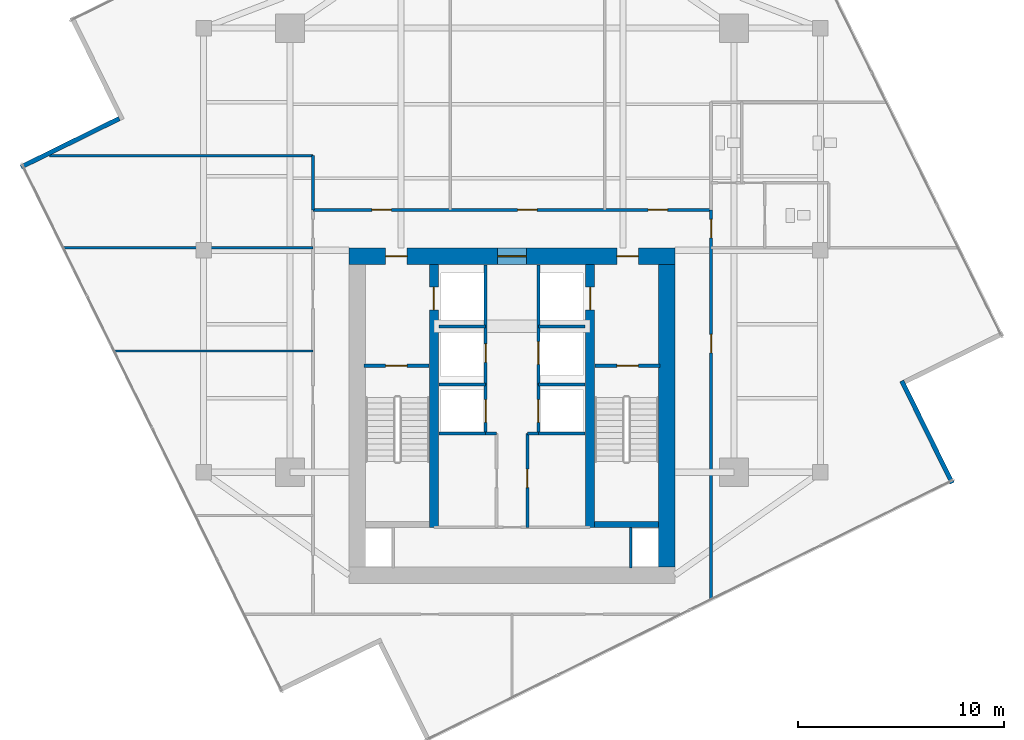
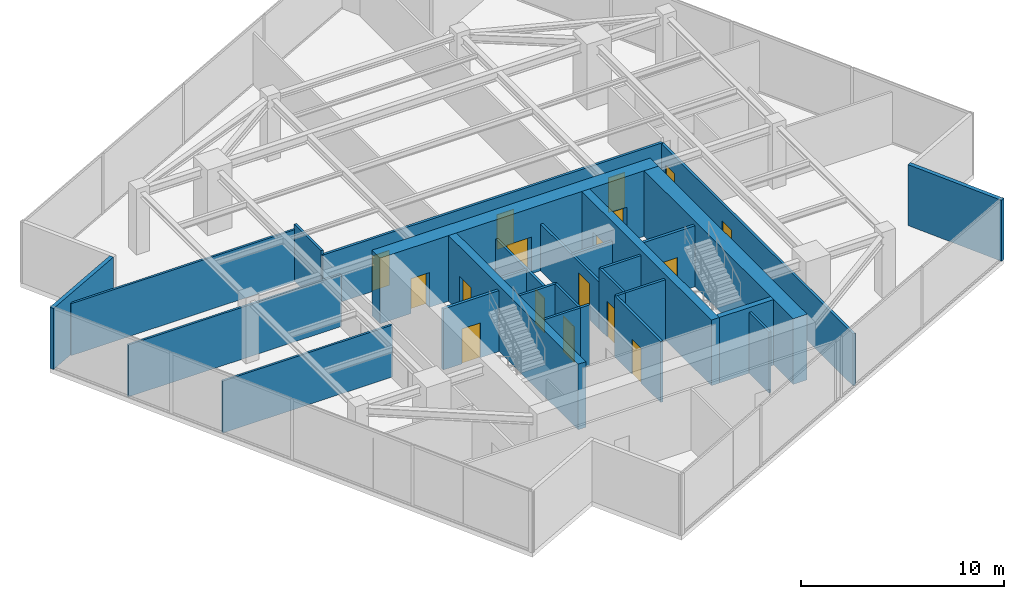
# One storey, part 19 of 22: 29 walls, 17 doors, 17 openings.
"""IFC4 building model written with IfcOpenShell, lengths in metres."""

from ifc_helpers import new_model, si_unit, direction, frame, frame_2d, origin, place, context, subcontext, project, spatial, rectangle, extrude, material, layer, layer_set, type_object, element, fill, save


model = new_model("IFC4")

# Units and contexts
model_context = context("Model", 3, precision=1e-05, world=origin(), true_north=direction((0.0, 1.0)))
body_context = subcontext(model_context, "Body", "Model", "MODEL_VIEW")
ifc_project = project(units=[si_unit("LENGTHUNIT", "METRE"), si_unit("AREAUNIT", "SQUARE_METRE"), si_unit("VOLUMEUNIT", "CUBIC_METRE"), si_unit("PLANEANGLEUNIT", "RADIAN"), si_unit("MASSUNIT", "GRAM", prefix="KILO")], contexts=[model_context])

# Site, building, storey
site_placement = place(None, origin())
site = spatial("IfcSite", under=ifc_project, at=site_placement, CompositionType="ELEMENT")
building_placement = place(site_placement, origin())
building = spatial("IfcBuilding", under=site, at=building_placement, Name="Krantzveldt Concourse Tower", CompositionType="ELEMENT")
storey_placement = place(building_placement, frame((0.0, 0.0, 310.85009765625)))
storey = spatial("IfcBuildingStorey", under=building, at=storey_placement, Name="L76", CompositionType="ELEMENT", Elevation=310.85009765625)

# Walls
ifc_material_1 = material(Name="Anodised aluminium 6063-T6", Category="aluminium")
ifc_layer_1 = layer(ifc_material_1, 0.219970703125, Name="Anodised aluminium 6063-T6", Category="aluminium")
ifc_layer_set_1 = layer_set([ifc_layer_1], Name="Anodised aluminium 6063-T6 (WL-EXT-NOTCH220)")
wall_type_1 = type_object("IfcWallType", Name="WL-EXT-NOTCH220", PredefinedType="ELEMENTEDWALL", material=ifc_layer_set_1)
wall_1_placement = place(storey_placement, frame((16.898681640625, 33.101806640625, 0.0), z_axis=(0.0, 0.0, 1.0), x_axis=(-0.896889306105, -0.442255099003, 0.0)))
element("IfcWall", 1, at=wall_1_placement, inside=storey, type_object=wall_type_1, Name="EW-L76-NCH03", PredefinedType="ELEMENTEDWALL", context=body_context, shape_type="SweptSolid", body=[
    extrude(rectangle(XDim=5.324951171875, YDim=0.219970703125, at=frame_2d((2.66259765625, 0.0))), origin(), (0.0, 0.0, 1.0), 3.669921875),
])
wall_2_placement = place(storey_placement, frame((57.406494140625, 15.375, 0.0), z_axis=(0.0, 0.0, 1.0), x_axis=(-0.442275503639, 0.896879244314, 0.0)))
element("IfcWall", 2, at=wall_2_placement, inside=storey, type_object=wall_type_1, Name="EW-L76-NCH08", PredefinedType="ELEMENTEDWALL", context=body_context, shape_type="SweptSolid", body=[
    extrude(rectangle(XDim=5.544921875, YDim=0.219970703125, at=frame_2d((2.7724609375, 0.0))), origin(), (0.0, 0.0, 1.0), 3.669921875),
])
ifc_material_2 = material(Name="Fire-rated gypsum plasterboard on steel stud", Category="steel")
ifc_layer_2 = layer(ifc_material_2, 0.1201171875, Name="Fire-rated gypsum plasterboard on steel stud", Category="steel")
ifc_layer_set_2 = layer_set([ifc_layer_2], Name="Fire-rated gypsum plasterboard on steel stud (WL-PART-120)")
wall_type_2 = type_object("IfcWallType", Name="WL-PART-120", PredefinedType="PARTITIONING", material=ifc_layer_set_2)
wall_3_placement = place(storey_placement, frame((14.1875, 26.820068359375, 0.0), z_axis=(0.0, 0.0, 1.0), x_axis=(1.0, 0.0, 0.0)))
element("IfcWall", 3, at=wall_3_placement, inside=storey, type_object=wall_type_2, Name="WP-L76-PNTS", PredefinedType="PARTITIONING", context=body_context, shape_type="SweptSolid", body=[
    extrude(rectangle(XDim=12.132568359375, YDim=0.1201171875, at=frame_2d((6.06640625, 0.0))), origin(), (0.0, 0.0, 1.0), 3.1298828125),
])
wall_4_placement = place(storey_placement, frame((13.5048828125, 31.300048828125, 0.0), z_axis=(0.0, 0.0, 1.0), x_axis=(1.0, 0.0, 0.0)))
element("IfcWall", 4, at=wall_4_placement, inside=storey, type_object=wall_type_2, Name="WP-L76-PNTN", PredefinedType="PARTITIONING", context=body_context, shape_type="SweptSolid", body=[
    extrude(rectangle(XDim=12.815185546875, YDim=0.1201171875, at=frame_2d((6.40771484375, 0.0))), origin(), (0.0, 0.0, 1.0), 3.1298828125),
])
wall_5_placement = place(storey_placement, frame((16.6630859375, 21.800048828125, 0.0), z_axis=(0.0, 0.0, 1.0), x_axis=(1.0, 0.0, 0.0)))
element("IfcWall", 5, at=wall_5_placement, inside=storey, type_object=wall_type_2, Name="WP-L76-WD2", PredefinedType="PARTITIONING", context=body_context, shape_type="SweptSolid", body=[
    extrude(rectangle(XDim=9.656982421875, YDim=0.1201171875, at=frame_2d((4.82861328125, 0.0))), origin(), (0.0, 0.0, 1.0), 3.1298828125),
])

# Wall, openings, doors
ifc_layer_3 = layer(ifc_material_2, 0.139892578125, Name="Fire-rated gypsum plasterboard on steel stud", Category="steel")
ifc_layer_set_3 = layer_set([ifc_layer_3], Name="Fire-rated gypsum plasterboard on steel stud (WL-PART-140)")
wall_type_3 = type_object("IfcWallType", Name="WL-PART-140", PredefinedType="PARTITIONING", material=ifc_layer_set_3)
wall_6_placement = place(storey_placement, frame((26.320068359375, 28.659912109375, 0.0), z_axis=(0.0, 0.0, 1.0), x_axis=(1.0, 0.0, 0.0)))
wall_6 = element("IfcWall", 6, at=wall_6_placement, inside=storey, type_object=wall_type_3, Name="WP-L76-CNHDR", PredefinedType="PARTITIONING", context=body_context, shape_type="SweptSolid", body=[
    extrude(rectangle(XDim=19.35986328125, YDim=0.139892578125, at=frame_2d((9.679931640625, 0.0))), origin(), (0.0, 0.0, 1.0), 3.179931640625),
])
opening_1_placement = place(wall_6_placement, frame((2.864990234375, 0.0, 0.0)))
opening_1 = element("IfcOpeningElement", 7, at=opening_1_placement, cuts=wall_6, Name="Opening D-IN095", PredefinedType="OPENING", context=body_context, shape_type="SweptSolid", body=[
    extrude(rectangle(XDim=0.949951171875, YDim=2.10009765625, at=frame_2d((0.47509765625, 1.050048828125))), frame((0.0, 0.080078125, 0.0), z_axis=(0.0, -1.0, 0.0), x_axis=(1.0, 0.0, 0.0)), (0.0, 0.0, 1.0), 0.159912109375),
])
opening_2_placement = place(wall_6_placement, frame((9.955078125, 0.0, 0.0)))
opening_2 = element("IfcOpeningElement", 8, at=opening_2_placement, cuts=wall_6, Name="Opening D-IN095", PredefinedType="OPENING", context=body_context, shape_type="SweptSolid", body=[
    extrude(rectangle(XDim=0.949951171875, YDim=2.10009765625, at=frame_2d((0.47509765625, 1.050048828125))), frame((0.0, 0.080078125, 0.0), z_axis=(0.0, -1.0, 0.0), x_axis=(1.0, 0.0, 0.0)), (0.0, 0.0, 1.0), 0.159912109375),
])
opening_3_placement = place(wall_6_placement, frame((16.294921875, 0.0, 0.0)))
opening_3 = element("IfcOpeningElement", 9, at=opening_3_placement, cuts=wall_6, Name="Opening D-IN095", PredefinedType="OPENING", context=body_context, shape_type="SweptSolid", body=[
    extrude(rectangle(XDim=0.949951171875, YDim=2.10009765625, at=frame_2d((0.47509765625, 1.050048828125))), frame((0.0, 0.080078125, 0.0), z_axis=(0.0, -1.0, 0.0), x_axis=(1.0, 0.0, 0.0)), (0.0, 0.0, 1.0), 0.159912109375),
])
ifc_material_3 = material(Name="Hardwood timber", Category="wood")
door_type_1 = type_object("IfcDoorType", Name="DR-INT-950", OperationType="SINGLE_SWING_LEFT", PredefinedType="DOOR", material=ifc_material_3)
door_1_placement = place(opening_1_placement, origin())
door_1 = element("IfcDoor", 10, at=door_1_placement, inside=storey, type_object=door_type_1, Name="DR-L76-NR1", OperationType="SINGLE_SWING_LEFT", OverallHeight=2.10009765625, OverallWidth=0.949951171875, PredefinedType="DOOR", context=body_context, shape_type="SweptSolid", body=[
    extrude(rectangle(XDim=0.949951171875, YDim=2.10009765625, at=frame_2d((0.47509765625, 1.050048828125))), frame((0.0, 0.02490234375, 0.0), z_axis=(0.0, -1.0, 0.0), x_axis=(1.0, 0.0, 0.0)), (0.0, 0.0, 1.0), 0.050048828125),
])
fill(opening_1, door_1)
door_2_placement = place(opening_2_placement, origin())
door_2 = element("IfcDoor", 11, at=door_2_placement, inside=storey, type_object=door_type_1, Name="DR-L76-NR2", OperationType="SINGLE_SWING_LEFT", OverallHeight=2.10009765625, OverallWidth=0.949951171875, PredefinedType="DOOR", context=body_context, shape_type="SweptSolid", body=[
    extrude(rectangle(XDim=0.949951171875, YDim=2.10009765625, at=frame_2d((0.47509765625, 1.050048828125))), frame((0.0, 0.02490234375, 0.0), z_axis=(0.0, -1.0, 0.0), x_axis=(1.0, 0.0, 0.0)), (0.0, 0.0, 1.0), 0.050048828125),
])
fill(opening_2, door_2)
door_3_placement = place(opening_3_placement, origin())
door_3 = element("IfcDoor", 12, at=door_3_placement, inside=storey, type_object=door_type_1, Name="DR-L76-NR3", OperationType="SINGLE_SWING_LEFT", OverallHeight=2.10009765625, OverallWidth=0.949951171875, PredefinedType="DOOR", context=body_context, shape_type="SweptSolid", body=[
    extrude(rectangle(XDim=0.949951171875, YDim=2.10009765625, at=frame_2d((0.47509765625, 1.050048828125))), frame((0.0, 0.02490234375, 0.0), z_axis=(0.0, -1.0, 0.0), x_axis=(1.0, 0.0, 0.0)), (0.0, 0.0, 1.0), 0.050048828125),
])
fill(opening_3, door_3)

wall_7_placement = place(storey_placement, frame((45.679931640625, 9.72021484375, 0.0), z_axis=(0.0, 0.0, 1.0), x_axis=(0.0, 1.0, 0.0)))
wall_7 = element("IfcWall", 13, at=wall_7_placement, inside=storey, type_object=wall_type_3, Name="WP-L76-CEAST", PredefinedType="PARTITIONING", context=body_context, shape_type="SweptSolid", body=[
    extrude(rectangle(XDim=18.939697265625, YDim=0.139892578125, at=frame_2d((9.4697265625, 0.0))), origin(), (0.0, 0.0, 1.0), 3.1298828125),
])
opening_4_placement = place(wall_7_placement, frame((17.57958984375, 0.0, 0.0)))
opening_4 = element("IfcOpeningElement", 14, at=opening_4_placement, cuts=wall_7, Name="Opening D-IN090", PredefinedType="OPENING", context=body_context, shape_type="SweptSolid", body=[
    extrude(rectangle(XDim=0.89990234375, YDim=2.10009765625, at=frame_2d((0.449951171875, 1.050048828125))), frame((0.0, 0.080078125, 0.0), z_axis=(0.0, -1.0, 0.0), x_axis=(1.0, 0.0, 0.0)), (0.0, 0.0, 1.0), 0.159912109375),
])
opening_5_placement = place(wall_7_placement, frame((11.98974609375, 0.0, 0.0)))
opening_5 = element("IfcOpeningElement", 15, at=opening_5_placement, cuts=wall_7, Name="Opening D-IN090", PredefinedType="OPENING", context=body_context, shape_type="SweptSolid", body=[
    extrude(rectangle(XDim=0.89990234375, YDim=2.10009765625, at=frame_2d((0.449951171875, 1.050048828125))), frame((0.0, 0.080078125, 0.0), z_axis=(0.0, -1.0, 0.0), x_axis=(1.0, 0.0, 0.0)), (0.0, 0.0, 1.0), 0.159912109375),
])
door_type_2 = type_object("IfcDoorType", Name="DR-INT-900", OperationType="SINGLE_SWING_LEFT", PredefinedType="DOOR", material=ifc_material_3)
door_4_placement = place(opening_4_placement, origin())
door_4 = element("IfcDoor", 16, at=door_4_placement, inside=storey, type_object=door_type_2, Name="DR-L76-WCV", OperationType="SINGLE_SWING_RIGHT", OverallHeight=2.10009765625, OverallWidth=0.89990234375, PredefinedType="DOOR", context=body_context, shape_type="SweptSolid", body=[
    extrude(rectangle(XDim=0.89990234375, YDim=2.10009765625, at=frame_2d((0.449951171875, 1.050048828125))), frame((0.0, 0.02490234375, 0.0), z_axis=(0.0, -1.0, 0.0), x_axis=(1.0, 0.0, 0.0)), (0.0, 0.0, 1.0), 0.050048828125),
])
fill(opening_4, door_4)
door_5_placement = place(opening_5_placement, origin())
door_5 = element("IfcDoor", 17, at=door_5_placement, inside=storey, type_object=door_type_2, Name="DR-L76-ER1", OperationType="SINGLE_SWING_LEFT", OverallHeight=2.10009765625, OverallWidth=0.89990234375, PredefinedType="DOOR", context=body_context, shape_type="SweptSolid", body=[
    extrude(rectangle(XDim=0.89990234375, YDim=2.10009765625, at=frame_2d((0.449951171875, 1.050048828125))), frame((0.0, 0.02490234375, 0.0), z_axis=(0.0, -1.0, 0.0), x_axis=(1.0, 0.0, 0.0)), (0.0, 0.0, 1.0), 0.050048828125),
])
fill(opening_5, door_5)

# Wall
wall_8_placement = place(storey_placement, frame((26.320068359375, 28.659912109375, 0.0), z_axis=(0.0, 0.0, 1.0), x_axis=(0.0, 1.0, 0.0)))
element("IfcWall", 18, at=wall_8_placement, inside=storey, type_object=wall_type_3, Name="WP-L76-NWL", PredefinedType="PARTITIONING", context=body_context, shape_type="SweptSolid", body=[
    extrude(rectangle(XDim=2.64013671875, YDim=0.139892578125, at=frame_2d((1.320068359375, 0.0))), origin(), (0.0, 0.0, 1.0), 3.429931640625),
])

# Wall, opening, door
ifc_layer_4 = layer(ifc_material_2, 0.139892578125, Name="Fire-rated gypsum plasterboard on steel stud", Category="steel")
ifc_layer_set_4 = layer_set([ifc_layer_4], Name="Fire-rated gypsum plasterboard on steel stud (WL-PART-FR140)")
wall_type_4 = type_object("IfcWallType", Name="WL-PART-FR140", PredefinedType="PARTITIONING", material=ifc_layer_set_4)
wall_9_placement = place(storey_placement, frame((34.719970703125, 20.199951171875, 0.0), z_axis=(0.0, 0.0, 1.0), x_axis=(0.0, 1.0, 0.0)))
wall_9 = element("IfcWall", 19, at=wall_9_placement, inside=storey, type_object=wall_type_4, Name="WP-L76-SHNW", PredefinedType="PARTITIONING", context=body_context, shape_type="SweptSolid", body=[
    extrude(rectangle(XDim=5.780029296875, YDim=0.139892578125, at=frame_2d((2.89013671875, 0.0))), origin(), (0.0, 0.0, 1.0), 2.81982421875),
])
opening_6_placement = place(wall_9_placement, frame((1.050048828125, 0.0, 0.0)))
opening_6 = element("IfcOpeningElement", 20, at=opening_6_placement, cuts=wall_9, Name="Opening D-FD090", PredefinedType="OPENING", context=body_context, shape_type="SweptSolid", body=[
    extrude(rectangle(XDim=0.89990234375, YDim=2.10009765625, at=frame_2d((0.449951171875, 1.050048828125))), frame((0.0, 0.080078125, 0.0), z_axis=(0.0, -1.0, 0.0), x_axis=(1.0, 0.0, 0.0)), (0.0, 0.0, 1.0), 0.159912109375),
])
door_type_3 = type_object("IfcDoorType", Name="DR-FD60-900", OperationType="SINGLE_SWING_LEFT", PredefinedType="DOOR", material=ifc_material_3)
door_6_placement = place(opening_6_placement, origin())
door_6 = element("IfcDoor", 21, at=door_6_placement, inside=storey, type_object=door_type_3, Name="Electrical Riser Access Door L76", OperationType="SINGLE_SWING_LEFT", OverallHeight=2.10009765625, OverallWidth=0.89990234375, PredefinedType="DOOR", context=body_context, shape_type="SweptSolid", body=[
    extrude(rectangle(XDim=0.89990234375, YDim=2.10009765625, at=frame_2d((0.449951171875, 1.050048828125))), frame((0.0, 0.02490234375, 0.0), z_axis=(0.0, -1.0, 0.0), x_axis=(1.0, 0.0, 0.0)), (0.0, 0.0, 1.0), 0.050048828125),
])
fill(opening_6, door_6)

wall_10_placement = place(storey_placement, frame((37.280029296875, 20.199951171875, 0.0), z_axis=(0.0, 0.0, 1.0), x_axis=(0.0, 1.0, 0.0)))
wall_10 = element("IfcWall", 22, at=wall_10_placement, inside=storey, type_object=wall_type_4, Name="WP-L76-SHNE", PredefinedType="PARTITIONING", context=body_context, shape_type="SweptSolid", body=[
    extrude(rectangle(XDim=5.780029296875, YDim=0.139892578125, at=frame_2d((2.89013671875, 0.0))), origin(), (0.0, 0.0, 1.0), 2.81982421875),
])
opening_7_placement = place(wall_10_placement, frame((0.949951171875, 0.0, 0.0)))
opening_7 = element("IfcOpeningElement", 23, at=opening_7_placement, cuts=wall_10, Name="Opening LD", PredefinedType="OPENING", context=body_context, shape_type="SweptSolid", body=[
    extrude(rectangle(XDim=1.10009765625, YDim=2.14990234375, at=frame_2d((0.550048828125, 1.074951171875))), frame((0.0, 0.080078125, 0.0), z_axis=(0.0, -1.0, 0.0), x_axis=(1.0, 0.0, 0.0)), (0.0, 0.0, 1.0), 0.159912109375),
])
ifc_material_4 = material(Name="Stainless steel 316L", Category="steel")
door_type_4 = type_object("IfcDoorType", Name="DR-SLIDE-LD1100", OperationType="DOUBLE_DOOR_SLIDING", PredefinedType="DOOR", material=ifc_material_4)
door_7_placement = place(opening_7_placement, origin())
door_7 = element("IfcDoor", 24, at=door_7_placement, inside=storey, type_object=door_type_4, Name="LD-L76-GL1", OperationType="DOUBLE_DOOR_SLIDING", OverallHeight=2.14990234375, OverallWidth=1.10009765625, PredefinedType="DOOR", context=body_context, shape_type="SweptSolid", body=[
    extrude(rectangle(XDim=1.10009765625, YDim=2.14990234375, at=frame_2d((0.550048828125, 1.074951171875))), frame((0.0, 0.02490234375, 0.0), z_axis=(0.0, -1.0, 0.0), x_axis=(1.0, 0.0, 0.0)), (0.0, 0.0, 1.0), 0.050048828125),
])
fill(opening_7, door_7)

# Walls
for number, where, z_axis, x_axis, name in (
    (25, (32.449951171875, 23.0, 0.0), (0.0, 0.0, 1.0), (1.0, 0.0, 0.0), "WP-L76-RISH"),
    (26, (37.280029296875, 23.0, 0.0), (0.0, 0.0, 1.0), (1.0, 0.0, 0.0), "WP-L76-GLH"),
):
    element("IfcWall", number, at=place(storey_placement, frame(where, z_axis=z_axis, x_axis=x_axis)), inside=storey, type_object=wall_type_4, Name=name, PredefinedType="PARTITIONING", context=body_context, shape_type="SweptSolid", body=[
        extrude(rectangle(XDim=2.27001953125, YDim=0.139892578125, at=frame_2d((1.135009765625, 0.0))), origin(), (0.0, 0.0, 1.0), 2.81982421875),
    ])

# Wall, opening, door
wall_11_placement = place(storey_placement, frame((34.719970703125, 17.780029296875, 0.0), z_axis=(0.0, 0.0, 1.0), x_axis=(0.0, 1.0, 0.0)))
wall_11 = element("IfcWall", 27, at=wall_11_placement, inside=storey, type_object=wall_type_4, Name="WP-L76-SHNW2", PredefinedType="PARTITIONING", context=body_context, shape_type="SweptSolid", body=[
    extrude(rectangle(XDim=2.419921875, YDim=0.139892578125, at=frame_2d((1.2099609375, 0.0))), origin(), (0.0, 0.0, 1.0), 3.669921875),
])
opening_8_placement = place(wall_11_placement, frame((0.550048828125, 0.0, 0.0)))
opening_8 = element("IfcOpeningElement", 28, at=opening_8_placement, cuts=wall_11, Name="Opening LD", PredefinedType="OPENING", context=body_context, shape_type="SweptSolid", body=[
    extrude(rectangle(XDim=1.10009765625, YDim=2.14990234375, at=frame_2d((0.550048828125, 1.074951171875))), frame((0.0, 0.080078125, 0.0), z_axis=(0.0, -1.0, 0.0), x_axis=(1.0, 0.0, 0.0)), (0.0, 0.0, 1.0), 0.159912109375),
])
door_8_placement = place(opening_8_placement, origin())
door_8 = element("IfcDoor", 29, at=door_8_placement, inside=storey, type_object=door_type_4, Name="LD-L76-PH1", OperationType="DOUBLE_DOOR_SLIDING", OverallHeight=2.14990234375, OverallWidth=1.10009765625, PredefinedType="DOOR", context=body_context, shape_type="SweptSolid", body=[
    extrude(rectangle(XDim=1.10009765625, YDim=2.14990234375, at=frame_2d((0.550048828125, 1.074951171875))), frame((0.0, 0.02490234375, 0.0), z_axis=(0.0, -1.0, 0.0), x_axis=(1.0, 0.0, 0.0)), (0.0, 0.0, 1.0), 0.050048828125),
])
fill(opening_8, door_8)

wall_12_placement = place(storey_placement, frame((37.280029296875, 17.780029296875, 0.0), z_axis=(0.0, 0.0, 1.0), x_axis=(0.0, 1.0, 0.0)))
wall_12 = element("IfcWall", 30, at=wall_12_placement, inside=storey, type_object=wall_type_4, Name="WP-L76-SHNE2", PredefinedType="PARTITIONING", context=body_context, shape_type="SweptSolid", body=[
    extrude(rectangle(XDim=2.419921875, YDim=0.139892578125, at=frame_2d((1.2099609375, 0.0))), origin(), (0.0, 0.0, 1.0), 3.669921875),
])
opening_9_placement = place(wall_12_placement, frame((0.550048828125, 0.0, 0.0)))
opening_9 = element("IfcOpeningElement", 31, at=opening_9_placement, cuts=wall_12, Name="Opening LD", PredefinedType="OPENING", context=body_context, shape_type="SweptSolid", body=[
    extrude(rectangle(XDim=1.10009765625, YDim=2.14990234375, at=frame_2d((0.550048828125, 1.074951171875))), frame((0.0, 0.080078125, 0.0), z_axis=(0.0, -1.0, 0.0), x_axis=(1.0, 0.0, 0.0)), (0.0, 0.0, 1.0), 0.159912109375),
])
door_9_placement = place(opening_9_placement, origin())
door_9 = element("IfcDoor", 32, at=door_9_placement, inside=storey, type_object=door_type_4, Name="LD-L76-PH2", OperationType="DOUBLE_DOOR_SLIDING", OverallHeight=2.14990234375, OverallWidth=1.10009765625, PredefinedType="DOOR", context=body_context, shape_type="SweptSolid", body=[
    extrude(rectangle(XDim=1.10009765625, YDim=2.14990234375, at=frame_2d((0.550048828125, 1.074951171875))), frame((0.0, 0.02490234375, 0.0), z_axis=(0.0, -1.0, 0.0), x_axis=(1.0, 0.0, 0.0)), (0.0, 0.0, 1.0), 0.050048828125),
])
fill(opening_9, door_9)

# Walls
for number, where, z_axis, x_axis, name in (
    (33, (32.449951171875, 17.780029296875, 0.0), (0.0, 0.0, 1.0), (1.0, 0.0, 0.0), "WP-L76-DIVW2"),
    (34, (32.449951171875, 20.179931640625, 0.0), (0.0, 0.0, 1.0), (1.0, 0.0, 0.0), "WP-L76-DIVW3"),
    (35, (37.280029296875, 17.780029296875, 0.0), (0.0, 0.0, 1.0), (1.0, 0.0, 0.0), "WP-L76-DIVE2"),
    (36, (37.280029296875, 20.179931640625, 0.0), (0.0, 0.0, 1.0), (1.0, 0.0, 0.0), "WP-L76-DIVE3"),
):
    element("IfcWall", number, at=place(storey_placement, frame(where, z_axis=z_axis, x_axis=x_axis)), inside=storey, type_object=wall_type_4, Name=name, PredefinedType="PARTITIONING", context=body_context, shape_type="SweptSolid", body=[
        extrude(rectangle(XDim=2.27001953125, YDim=0.139892578125, at=frame_2d((1.135009765625, 0.0))), origin(), (0.0, 0.0, 1.0), 3.669921875),
    ])
wall_13_placement = place(storey_placement, frame((34.719970703125, 17.780029296875, 0.0), z_axis=(0.0, 0.0, 1.0), x_axis=(1.0, 0.0, 0.0)))
element("IfcWall", 37, at=wall_13_placement, inside=storey, type_object=wall_type_4, Name="WP-L76-RECWN", PredefinedType="PARTITIONING", context=body_context, shape_type="SweptSolid", body=[
    extrude(rectangle(XDim=0.530029296875, YDim=0.139892578125, at=frame_2d((0.26513671875, 0.0))), origin(), (0.0, 0.0, 1.0), 3.669921875),
])

# Wall, opening, door
wall_14_placement = place(storey_placement, frame((36.75, 13.219970703125, 0.0), z_axis=(0.0, 0.0, 1.0), x_axis=(0.0, 1.0, 0.0)))
wall_14 = element("IfcWall", 38, at=wall_14_placement, inside=storey, type_object=wall_type_4, Name="WP-L76-RECE", PredefinedType="PARTITIONING", context=body_context, shape_type="SweptSolid", body=[
    extrude(rectangle(XDim=4.56005859375, YDim=0.139892578125, at=frame_2d((2.280029296875, 0.0))), origin(), (0.0, 0.0, 1.0), 3.669921875),
])
opening_10_placement = place(wall_14_placement, frame((1.929931640625, 0.0, 0.0)))
opening_10 = element("IfcOpeningElement", 39, at=opening_10_placement, cuts=wall_14, Name="Opening D-FD090", PredefinedType="OPENING", context=body_context, shape_type="SweptSolid", body=[
    extrude(rectangle(XDim=0.89990234375, YDim=2.10009765625, at=frame_2d((0.449951171875, 1.050048828125))), frame((0.0, 0.080078125, 0.0), z_axis=(0.0, -1.0, 0.0), x_axis=(1.0, 0.0, 0.0)), (0.0, 0.0, 1.0), 0.159912109375),
])
door_10_placement = place(opening_10_placement, origin())
door_10 = element("IfcDoor", 40, at=door_10_placement, inside=storey, type_object=door_type_3, Name="DR-L76-RECE", OperationType="SINGLE_SWING_RIGHT", OverallHeight=2.10009765625, OverallWidth=0.89990234375, PredefinedType="DOOR", context=body_context, shape_type="SweptSolid", body=[
    extrude(rectangle(XDim=0.89990234375, YDim=2.10009765625, at=frame_2d((0.449951171875, 1.050048828125))), frame((0.0, 0.02490234375, 0.0), z_axis=(0.0, -1.0, 0.0), x_axis=(1.0, 0.0, 0.0)), (0.0, 0.0, 1.0), 0.050048828125),
])
fill(opening_10, door_10)

# Walls
wall_15_placement = place(storey_placement, frame((36.75, 17.780029296875, 0.0), z_axis=(0.0, 0.0, 1.0), x_axis=(1.0, 0.0, 0.0)))
element("IfcWall", 41, at=wall_15_placement, inside=storey, type_object=wall_type_4, Name="WP-L76-RECEN", PredefinedType="PARTITIONING", context=body_context, shape_type="SweptSolid", body=[
    extrude(rectangle(XDim=0.530029296875, YDim=0.139892578125, at=frame_2d((0.26513671875, 0.0))), origin(), (0.0, 0.0, 1.0), 3.669921875),
])
wall_16_placement = place(storey_placement, frame((41.780029296875, 11.25, 0.0), z_axis=(0.0, 0.0, 1.0), x_axis=(0.0, 1.0, 0.0)))
element("IfcWall", 42, at=wall_16_placement, inside=storey, type_object=wall_type_4, Name="WP-L76-RSE", PredefinedType="PARTITIONING", context=body_context, shape_type="SweptSolid", body=[
    extrude(rectangle(XDim=1.969970703125, YDim=0.1201171875, at=frame_2d((0.98486328125, 0.0))), origin(), (0.0, 0.0, 1.0), 3.669921875),
])

# Wall, opening, door
ifc_layer_5 = layer(ifc_material_2, 0.159912109375, Name="Fire-rated gypsum plasterboard on steel stud", Category="steel")
ifc_layer_set_5 = layer_set([ifc_layer_5], Name="Fire-rated gypsum plasterboard on steel stud (WL-PART-FR160)")
wall_type_5 = type_object("IfcWallType", Name="WL-PART-FR160", PredefinedType="PARTITIONING", material=ifc_layer_set_5)
wall_17_placement = place(storey_placement, frame((28.800048828125, 21.080078125, 0.0), z_axis=(0.0, 0.0, 1.0), x_axis=(1.0, 0.0, 0.0)))
wall_17 = element("IfcWall", 43, at=wall_17_placement, inside=storey, type_object=wall_type_5, Name="WP-L76-ST1", PredefinedType="PARTITIONING", context=body_context, shape_type="SweptSolid", body=[
    extrude(rectangle(XDim=3.159912109375, YDim=0.159912109375, at=frame_2d((1.580078125, 0.0))), origin(), (0.0, 0.0, 1.0), 3.669921875),
])
opening_11_placement = place(wall_17_placement, frame((1.054931640625, 0.0, 0.0)))
opening_11 = element("IfcOpeningElement", 44, at=opening_11_placement, cuts=wall_17, Name="Opening D-FD105", PredefinedType="OPENING", context=body_context, shape_type="SweptSolid", body=[
    extrude(rectangle(XDim=1.050048828125, YDim=2.10009765625, at=frame_2d((0.52490234375, 1.050048828125))), frame((0.0, 0.08984375, 0.0), z_axis=(0.0, -1.0, 0.0), x_axis=(1.0, 0.0, 0.0)), (0.0, 0.0, 1.0), 0.179931640625),
])
ifc_material_5 = material(Name="Galvanised steel", Category="steel")
door_type_5 = type_object("IfcDoorType", Name="DR-FD120-1050", OperationType="SINGLE_SWING_LEFT", PredefinedType="DOOR", material=ifc_material_5)
door_11_placement = place(opening_11_placement, origin())
door_11 = element("IfcDoor", 45, at=door_11_placement, inside=storey, type_object=door_type_5, Name="DR-L76-ST1", OperationType="SINGLE_SWING_RIGHT", OverallHeight=2.10009765625, OverallWidth=1.050048828125, PredefinedType="DOOR", context=body_context, shape_type="SweptSolid", body=[
    extrude(rectangle(XDim=1.050048828125, YDim=2.10009765625, at=frame_2d((0.52490234375, 1.050048828125))), frame((0.0, 0.02490234375, 0.0), z_axis=(0.0, -1.0, 0.0), x_axis=(1.0, 0.0, 0.0)), (0.0, 0.0, 1.0), 0.050048828125),
])
fill(opening_11, door_11)

wall_18_placement = place(storey_placement, frame((40.0400390625, 21.080078125, 0.0), z_axis=(0.0, 0.0, 1.0), x_axis=(1.0, 0.0, 0.0)))
wall_18 = element("IfcWall", 46, at=wall_18_placement, inside=storey, type_object=wall_type_5, Name="WP-L76-ST2", PredefinedType="PARTITIONING", context=body_context, shape_type="SweptSolid", body=[
    extrude(rectangle(XDim=3.159912109375, YDim=0.159912109375, at=frame_2d((1.580078125, 0.0))), origin(), (0.0, 0.0, 1.0), 3.669921875),
])
opening_12_placement = place(wall_18_placement, frame((1.054931640625, 0.0, 0.0)))
opening_12 = element("IfcOpeningElement", 47, at=opening_12_placement, cuts=wall_18, Name="Opening D-FD105", PredefinedType="OPENING", context=body_context, shape_type="SweptSolid", body=[
    extrude(rectangle(XDim=1.050048828125, YDim=2.10009765625, at=frame_2d((0.52490234375, 1.050048828125))), frame((0.0, 0.08984375, 0.0), z_axis=(0.0, -1.0, 0.0), x_axis=(1.0, 0.0, 0.0)), (0.0, 0.0, 1.0), 0.179931640625),
])
door_12_placement = place(opening_12_placement, origin())
door_12 = element("IfcDoor", 48, at=door_12_placement, inside=storey, type_object=door_type_5, Name="DR-L76-ST2", OperationType="SINGLE_SWING_LEFT", OverallHeight=2.10009765625, OverallWidth=1.050048828125, PredefinedType="DOOR", context=body_context, shape_type="SweptSolid", body=[
    extrude(rectangle(XDim=1.050048828125, YDim=2.10009765625, at=frame_2d((0.52490234375, 1.050048828125))), frame((0.0, 0.02490234375, 0.0), z_axis=(0.0, -1.0, 0.0), x_axis=(1.0, 0.0, 0.0)), (0.0, 0.0, 1.0), 0.050048828125),
])
fill(opening_12, door_12)

# Wall
ifc_material_6 = material(Name="Concrete C50/60", Category="concrete")
ifc_layer_6 = layer(ifc_material_6, 0.300048828125, Name="Concrete C50/60", Category="concrete")
ifc_layer_set_6 = layer_set([ifc_layer_6], Name="Concrete C50/60 (WL-SHEAR-300)")
wall_type_6 = type_object("IfcWallType", Name="WL-SHEAR-300", PredefinedType="SHEAR", material=ifc_layer_set_6)
wall_19_placement = place(storey_placement, frame((40.02001953125, 13.3701171875, 0.0), z_axis=(0.0, 0.0, 1.0), x_axis=(1.0, 0.0, 0.0)))
element("IfcWall", 49, at=wall_19_placement, inside=storey, type_object=wall_type_6, Name="CW-L76-ST2S", PredefinedType="SHEAR", context=body_context, shape_type="SweptSolid", body=[
    extrude(rectangle(XDim=3.10009765625, YDim=0.300048828125, at=frame_2d((1.550048828125, 0.0))), origin(), (0.0, 0.0, 1.0), 3.949951171875),
])

# Wall, opening, door
ifc_layer_7 = layer(ifc_material_6, 0.449951171875, Name="Concrete C50/60", Category="concrete")
ifc_layer_set_7 = layer_set([ifc_layer_7], Name="Concrete C50/60 (WL-SHEAR-450)")
wall_type_7 = type_object("IfcWallType", Name="WL-SHEAR-450", PredefinedType="SHEAR", material=ifc_layer_set_7)
wall_20_placement = place(storey_placement, frame((32.205078125, 13.219970703125, 0.0), z_axis=(0.0, 0.0, 1.0), x_axis=(0.0, 1.0, 0.0)))
wall_20 = element("IfcWall", 50, at=wall_20_placement, inside=storey, type_object=wall_type_7, Name="CW-L76-IW", PredefinedType="SHEAR", context=body_context, shape_type="SweptSolid", body=[
    extrude(rectangle(XDim=12.780029296875, YDim=0.449951171875, at=frame_2d((6.39013671875, 0.0))), origin(), (0.0, 0.0, 1.0), 3.949951171875),
])
opening_13_placement = place(wall_20_placement, frame((10.580078125, 0.0, 0.0)))
opening_13 = element("IfcOpeningElement", 51, at=opening_13_placement, cuts=wall_20, Name="Opening LD", PredefinedType="OPENING", context=body_context, shape_type="SweptSolid", body=[
    extrude(rectangle(XDim=1.10009765625, YDim=2.14990234375, at=frame_2d((0.550048828125, 1.074951171875))), frame((0.0, 0.23486328125, 0.0), z_axis=(0.0, -1.0, 0.0), x_axis=(1.0, 0.0, 0.0)), (0.0, 0.0, 1.0), 0.469970703125),
])
door_13_placement = place(opening_13_placement, origin())
door_13 = element("IfcDoor", 52, at=door_13_placement, inside=storey, type_object=door_type_4, Name="LD-L76-FL1", OperationType="DOUBLE_DOOR_SLIDING", OverallHeight=2.14990234375, OverallWidth=1.10009765625, PredefinedType="DOOR", context=body_context, shape_type="SweptSolid", body=[
    extrude(rectangle(XDim=1.10009765625, YDim=2.14990234375, at=frame_2d((0.550048828125, 1.074951171875))), frame((0.0, 0.02490234375, 0.0), z_axis=(0.0, -1.0, 0.0), x_axis=(1.0, 0.0, 0.0)), (0.0, 0.0, 1.0), 0.050048828125),
])
fill(opening_13, door_13)

wall_21_placement = place(storey_placement, frame((39.794921875, 13.219970703125, 0.0), z_axis=(0.0, 0.0, 1.0), x_axis=(0.0, 1.0, 0.0)))
wall_21 = element("IfcWall", 53, at=wall_21_placement, inside=storey, type_object=wall_type_7, Name="CW-L76-IE", PredefinedType="SHEAR", context=body_context, shape_type="SweptSolid", body=[
    extrude(rectangle(XDim=12.780029296875, YDim=0.449951171875, at=frame_2d((6.39013671875, 0.0))), origin(), (0.0, 0.0, 1.0), 3.949951171875),
])
opening_14_placement = place(wall_21_placement, frame((10.580078125, 0.0, 0.0)))
opening_14 = element("IfcOpeningElement", 54, at=opening_14_placement, cuts=wall_21, Name="Opening LD", PredefinedType="OPENING", context=body_context, shape_type="SweptSolid", body=[
    extrude(rectangle(XDim=1.10009765625, YDim=2.14990234375, at=frame_2d((0.550048828125, 1.074951171875))), frame((0.0, 0.23486328125, 0.0), z_axis=(0.0, -1.0, 0.0), x_axis=(1.0, 0.0, 0.0)), (0.0, 0.0, 1.0), 0.469970703125),
])
door_14_placement = place(opening_14_placement, origin())
door_14 = element("IfcDoor", 55, at=door_14_placement, inside=storey, type_object=door_type_4, Name="LD-L76-FL2", OperationType="DOUBLE_DOOR_SLIDING", OverallHeight=2.14990234375, OverallWidth=1.10009765625, PredefinedType="DOOR", context=body_context, shape_type="SweptSolid", body=[
    extrude(rectangle(XDim=1.10009765625, YDim=2.14990234375, at=frame_2d((0.550048828125, 1.074951171875))), frame((0.0, 0.02490234375, 0.0), z_axis=(0.0, -1.0, 0.0), x_axis=(1.0, 0.0, 0.0)), (0.0, 0.0, 1.0), 0.050048828125),
])
fill(opening_14, door_14)

# Wall, openings, doors
ifc_material_7 = material(Name="Concrete C60/75", Category="concrete")
ifc_layer_8 = layer(ifc_material_7, 0.800048828125, Name="Concrete C60/75", Category="concrete")
ifc_layer_set_8 = layer_set([ifc_layer_8], Name="Concrete C60/75 (WL-SHEAR-800)")
wall_type_8 = type_object("IfcWallType", Name="WL-SHEAR-800", PredefinedType="SHEAR", material=ifc_layer_set_8)
wall_22_placement = place(storey_placement, frame((28.080078125, 26.39990234375, 0.0), z_axis=(0.0, 0.0, 1.0), x_axis=(1.0, 0.0, 0.0)))
wall_22 = element("IfcWall", 56, at=wall_22_placement, inside=storey, type_object=wall_type_8, Name="CW-L76-N", PredefinedType="SHEAR", context=body_context, shape_type="SweptSolid", body=[
    extrude(rectangle(XDim=15.83984375, YDim=0.800048828125, at=frame_2d((7.919921875, 0.0))), origin(), (0.0, 0.0, 1.0), 3.949951171875),
])
opening_15_placement = place(wall_22_placement, frame((7.219970703125, 0.0, 0.0)))
opening_15 = element("IfcOpeningElement", 57, at=opening_15_placement, cuts=wall_22, Name="Opening D-DB140", PredefinedType="OPENING", context=body_context, shape_type="SweptSolid", body=[
    extrude(rectangle(XDim=1.39990234375, YDim=2.199951171875, at=frame_2d((0.699951171875, 1.10009765625))), frame((0.0, 0.41015625, 0.0), z_axis=(0.0, -1.0, 0.0), x_axis=(1.0, 0.0, 0.0)), (0.0, 0.0, 1.0), 0.820068359375),
])
opening_16_placement = place(wall_22_placement, frame((1.77490234375, 0.0, 0.0)))
opening_16 = element("IfcOpeningElement", 58, at=opening_16_placement, cuts=wall_22, Name="Opening D-FD105", PredefinedType="OPENING", context=body_context, shape_type="SweptSolid", body=[
    extrude(rectangle(XDim=1.050048828125, YDim=2.10009765625, at=frame_2d((0.52490234375, 1.050048828125))), frame((0.0, 0.41015625, 0.0), z_axis=(0.0, -1.0, 0.0), x_axis=(1.0, 0.0, 0.0)), (0.0, 0.0, 1.0), 0.820068359375),
])
opening_17_placement = place(wall_22_placement, frame((13.014892578125, 0.0, 0.0)))
opening_17 = element("IfcOpeningElement", 59, at=opening_17_placement, cuts=wall_22, Name="Opening D-FD105", PredefinedType="OPENING", context=body_context, shape_type="SweptSolid", body=[
    extrude(rectangle(XDim=1.050048828125, YDim=2.10009765625, at=frame_2d((0.52490234375, 1.050048828125))), frame((0.0, 0.41015625, 0.0), z_axis=(0.0, -1.0, 0.0), x_axis=(1.0, 0.0, 0.0)), (0.0, 0.0, 1.0), 0.820068359375),
])
door_type_6 = type_object("IfcDoorType", Name="DR-DBL-1400", OperationType="DOUBLE_DOOR_SINGLE_SWING", PredefinedType="DOOR", material=ifc_material_1)
door_15_placement = place(opening_15_placement, origin())
door_15 = element("IfcDoor", 60, at=door_15_placement, inside=storey, type_object=door_type_6, Name="DR-L76-LLB", OperationType="DOUBLE_DOOR_SINGLE_SWING", OverallHeight=2.199951171875, OverallWidth=1.39990234375, PredefinedType="DOOR", context=body_context, shape_type="SweptSolid", body=[
    extrude(rectangle(XDim=1.39990234375, YDim=2.199951171875, at=frame_2d((0.699951171875, 1.10009765625))), frame((0.0, 0.02490234375, 0.0), z_axis=(0.0, -1.0, 0.0), x_axis=(1.0, 0.0, 0.0)), (0.0, 0.0, 1.0), 0.050048828125),
])
fill(opening_15, door_15)
door_16_placement = place(opening_16_placement, origin())
door_16 = element("IfcDoor", 61, at=door_16_placement, inside=storey, type_object=door_type_5, Name="DR-L76-FFL1", OperationType="SINGLE_SWING_LEFT", OverallHeight=2.10009765625, OverallWidth=1.050048828125, PredefinedType="DOOR", context=body_context, shape_type="SweptSolid", body=[
    extrude(rectangle(XDim=1.050048828125, YDim=2.10009765625, at=frame_2d((0.52490234375, 1.050048828125))), frame((0.0, 0.02490234375, 0.0), z_axis=(0.0, -1.0, 0.0), x_axis=(1.0, 0.0, 0.0)), (0.0, 0.0, 1.0), 0.050048828125),
])
fill(opening_16, door_16)
door_17_placement = place(opening_17_placement, origin())
door_17 = element("IfcDoor", 62, at=door_17_placement, inside=storey, type_object=door_type_5, Name="DR-L76-FFL2", OperationType="SINGLE_SWING_RIGHT", OverallHeight=2.10009765625, OverallWidth=1.050048828125, PredefinedType="DOOR", context=body_context, shape_type="SweptSolid", body=[
    extrude(rectangle(XDim=1.050048828125, YDim=2.10009765625, at=frame_2d((0.52490234375, 1.050048828125))), frame((0.0, 0.02490234375, 0.0), z_axis=(0.0, -1.0, 0.0), x_axis=(1.0, 0.0, 0.0)), (0.0, 0.0, 1.0), 0.050048828125),
])
fill(opening_17, door_17)

# Wall
wall_23_placement = place(storey_placement, frame((43.52001953125, 11.300048828125, 0.0), z_axis=(0.0, 0.0, 1.0), x_axis=(0.0, 1.0, 0.0)))
element("IfcWall", 63, at=wall_23_placement, inside=storey, type_object=wall_type_8, Name="CW-L76-E", PredefinedType="SHEAR", context=body_context, shape_type="SweptSolid", body=[
    extrude(rectangle(XDim=14.699951171875, YDim=0.800048828125, at=frame_2d((7.35009765625, 0.0))), origin(), (0.0, 0.0, 1.0), 3.949951171875),
])

save(model, "model.ifc")
